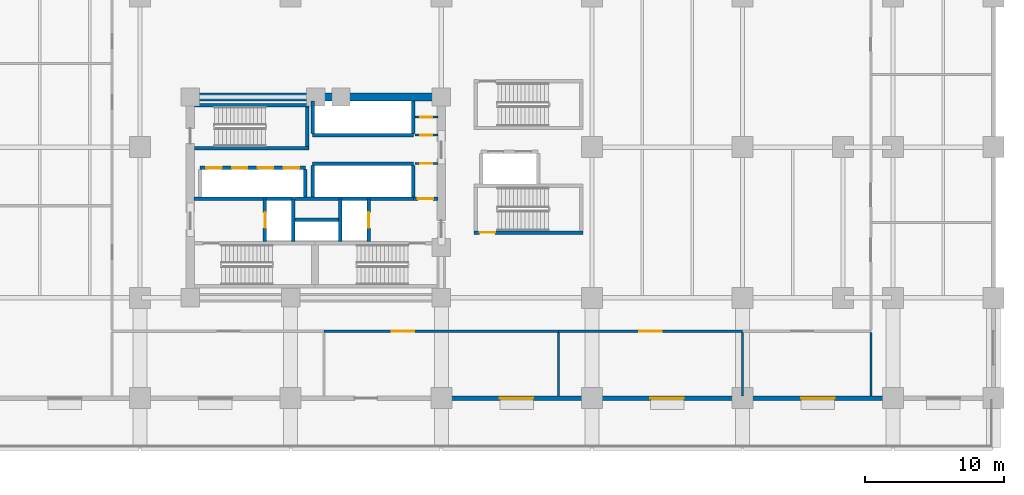
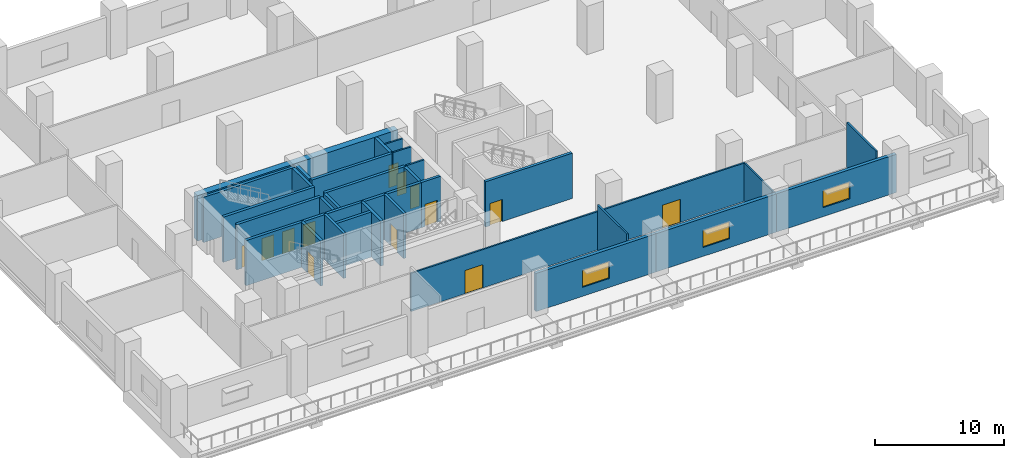
# One storey, part 4 of 11: 32 walls, 13 doors, 3 windows, 16 openings.
"""IFC4 building model written with IfcOpenShell, lengths in metres."""

from ifc_helpers import new_model, si_unit, direction, frame, frame_2d, origin, place, context, subcontext, project, spatial, rectangle, extrude, material, layer, layer_set, type_object, element, fill, save


model = new_model("IFC4")

# Units and contexts
model_context = context("Model", 3, precision=1e-05, world=origin(), true_north=direction((0.0, 1.0)))
body_context = subcontext(model_context, "Body", "Model", "MODEL_VIEW")
ifc_project = project(units=[si_unit("LENGTHUNIT", "METRE"), si_unit("AREAUNIT", "SQUARE_METRE"), si_unit("VOLUMEUNIT", "CUBIC_METRE"), si_unit("PLANEANGLEUNIT", "RADIAN"), si_unit("MASSUNIT", "GRAM", prefix="KILO")], contexts=[model_context])

# Site, building, storey
site_placement = place(None, origin())
site = spatial("IfcSite", under=ifc_project, at=site_placement, CompositionType="ELEMENT")
building_placement = place(site_placement, origin())
building = spatial("IfcBuilding", under=site, at=building_placement, Name="Solnavia Interchange Tower", CompositionType="ELEMENT")
storey_placement = place(building_placement, frame((0.0, 0.0, 14.800048828125)))
storey = spatial("IfcBuildingStorey", under=building, at=storey_placement, Name="L03", CompositionType="ELEMENT", Elevation=14.800048828125)

# Wall, opening, window
ifc_material_1 = material(Name="Concrete C40/50", Category="concrete")
ifc_layer_1 = layer(ifc_material_1, 0.300048828125)
ifc_layer_set_1 = layer_set([ifc_layer_1], Name="Concrete C40/50")
wall_type_1 = type_object("IfcWallType", Name="Wall-ExtSpandrel-300", PredefinedType="STANDARD", material=ifc_layer_set_1)
wall_1_placement = place(storey_placement, frame((43.199951171875, 3.60009765625, 0.0), z_axis=(0.0, 0.0, 1.0), x_axis=(-1.0, 0.0, 0.0)))
wall_1 = element("IfcWall", 1, at=wall_1_placement, inside=storey, type_object=wall_type_1, Name="EXW-L03-S04 South podium wall", PredefinedType="STANDARD", context=body_context, shape_type="SweptSolid", body=[
    extrude(rectangle(XDim=10.800048828125, YDim=0.300048828125, at=frame_2d((5.39990234375, 0.0))), origin(), (0.0, 0.0, 1.0), 3.6298828125),
])
opening_1_placement = place(wall_1_placement, frame((4.199951171875, 0.0, 0.85009765625)))
opening_1 = element("IfcOpeningElement", 2, at=opening_1_placement, cuts=wall_1, Name="Opening WIN-06", PredefinedType="OPENING", context=body_context, shape_type="SweptSolid", body=[
    extrude(rectangle(XDim=2.39990234375, YDim=1.60009765625, at=frame_2d((1.199951171875, 0.800048828125))), frame((0.0, 0.16015625, 0.0), z_axis=(0.0, -1.0, 0.0), x_axis=(1.0, 0.0, 0.0)), (0.0, 0.0, 1.0), 0.320068359375),
])
ifc_material_2 = material(Name="Thermal-Break Aluminium & Low-E Glass", Category="aluminium")
window_type = type_object("IfcWindowType", Name="Window-Podium-2400x1600", PartitioningType="SINGLE_PANEL", PredefinedType="WINDOW", material=ifc_material_2)
window_1_placement = place(opening_1_placement, origin())
window_1 = element("IfcWindow", 3, at=window_1_placement, inside=storey, type_object=window_type, Name="WIN-L03-S04 South podium window", OverallHeight=1.60009765625, OverallWidth=2.39990234375, PartitioningType="SINGLE_PANEL", PredefinedType="WINDOW", context=body_context, shape_type="SweptSolid", body=[
    extrude(rectangle(XDim=2.39990234375, YDim=1.60009765625, at=frame_2d((1.199951171875, 0.800048828125))), frame((0.0, 0.030029296875, 0.0), z_axis=(0.0, -1.0, 0.0), x_axis=(1.0, 0.0, 0.0)), (0.0, 0.0, 1.0), 0.06005859375),
])
fill(opening_1, window_1)

wall_2_placement = place(storey_placement, frame((54.0, 3.60009765625, 0.0), z_axis=(0.0, 0.0, 1.0), x_axis=(-1.0, 0.0, 0.0)))
wall_2 = element("IfcWall", 4, at=wall_2_placement, inside=storey, type_object=wall_type_1, Name="EXW-L03-S05 South podium wall", PredefinedType="STANDARD", context=body_context, shape_type="SweptSolid", body=[
    extrude(rectangle(XDim=10.800048828125, YDim=0.300048828125, at=frame_2d((5.39990234375, 0.0))), origin(), (0.0, 0.0, 1.0), 3.6298828125),
])
opening_2_placement = place(wall_2_placement, frame((4.199951171875, 0.0, 0.85009765625)))
opening_2 = element("IfcOpeningElement", 5, at=opening_2_placement, cuts=wall_2, Name="Opening WIN-06", PredefinedType="OPENING", context=body_context, shape_type="SweptSolid", body=[
    extrude(rectangle(XDim=2.39990234375, YDim=1.60009765625, at=frame_2d((1.199951171875, 0.800048828125))), frame((0.0, 0.16015625, 0.0), z_axis=(0.0, -1.0, 0.0), x_axis=(1.0, 0.0, 0.0)), (0.0, 0.0, 1.0), 0.320068359375),
])
window_2_placement = place(opening_2_placement, origin())
window_2 = element("IfcWindow", 6, at=window_2_placement, inside=storey, type_object=window_type, Name="WIN-L03-S05 South podium window", OverallHeight=1.60009765625, OverallWidth=2.39990234375, PartitioningType="SINGLE_PANEL", PredefinedType="WINDOW", context=body_context, shape_type="SweptSolid", body=[
    extrude(rectangle(XDim=2.39990234375, YDim=1.60009765625, at=frame_2d((1.199951171875, 0.800048828125))), frame((0.0, 0.030029296875, 0.0), z_axis=(0.0, -1.0, 0.0), x_axis=(1.0, 0.0, 0.0)), (0.0, 0.0, 1.0), 0.06005859375),
])
fill(opening_2, window_2)

wall_3_placement = place(storey_placement, frame((64.800048828125, 3.60009765625, 0.0), z_axis=(0.0, 0.0, 1.0), x_axis=(-1.0, 0.0, 0.0)))
wall_3 = element("IfcWall", 7, at=wall_3_placement, inside=storey, type_object=wall_type_1, Name="EXW-L03-S06 South podium wall", PredefinedType="STANDARD", context=body_context, shape_type="SweptSolid", body=[
    extrude(rectangle(XDim=10.800048828125, YDim=0.300048828125, at=frame_2d((5.39990234375, 0.0))), origin(), (0.0, 0.0, 1.0), 3.6298828125),
])
opening_3_placement = place(wall_3_placement, frame((4.199951171875, 0.0, 0.85009765625)))
opening_3 = element("IfcOpeningElement", 8, at=opening_3_placement, cuts=wall_3, Name="Opening WIN-06", PredefinedType="OPENING", context=body_context, shape_type="SweptSolid", body=[
    extrude(rectangle(XDim=2.39990234375, YDim=1.60009765625, at=frame_2d((1.199951171875, 0.800048828125))), frame((0.0, 0.16015625, 0.0), z_axis=(0.0, -1.0, 0.0), x_axis=(1.0, 0.0, 0.0)), (0.0, 0.0, 1.0), 0.320068359375),
])
window_3_placement = place(opening_3_placement, origin())
window_3 = element("IfcWindow", 9, at=window_3_placement, inside=storey, type_object=window_type, Name="WIN-L03-S06 South podium window", OverallHeight=1.60009765625, OverallWidth=2.39990234375, PartitioningType="SINGLE_PANEL", PredefinedType="WINDOW", context=body_context, shape_type="SweptSolid", body=[
    extrude(rectangle(XDim=2.39990234375, YDim=1.60009765625, at=frame_2d((1.199951171875, 0.800048828125))), frame((0.0, 0.030029296875, 0.0), z_axis=(0.0, -1.0, 0.0), x_axis=(1.0, 0.0, 0.0)), (0.0, 0.0, 1.0), 0.06005859375),
])
fill(opening_3, window_3)

# Wall, opening, door
ifc_material_3 = material(Name="Gypsum Plasterboard & Steel Stud", Category="steel")
ifc_layer_2 = layer(ifc_material_3, 0.14990234375)
ifc_layer_set_2 = layer_set([ifc_layer_2], Name="Gypsum Plasterboard & Steel Stud")
wall_type_2 = type_object("IfcWallType", Name="Wall-Partition-150", PredefinedType="PARTITIONING", material=ifc_layer_set_2)
wall_4_placement = place(storey_placement, frame((30.52001953125, 22.4599609375, 0.0), z_axis=(0.0, 0.0, 1.0), x_axis=(1.0, 0.0, 0.0)))
wall_4 = element("IfcWall", 10, at=wall_4_placement, inside=storey, type_object=wall_type_2, Name="CSW-L03-NE-S Core shaft wall", PredefinedType="PARTITIONING", context=body_context, shape_type="SweptSolid", body=[
    extrude(rectangle(XDim=1.6298828125, YDim=0.14990234375, at=frame_2d((0.81494140625, 0.0))), origin(), (0.0, 0.0, 1.0), 4.284912109375),
])
opening_4_placement = place(wall_4_placement, frame((0.3798828125, 0.0, 0.0)))
opening_4 = element("IfcOpeningElement", 11, at=opening_4_placement, cuts=wall_4, Name="Opening DR-10", PredefinedType="OPENING", context=body_context, shape_type="SweptSolid", body=[
    extrude(rectangle(XDim=0.85009765625, YDim=2.10009765625, at=frame_2d((0.425048828125, 1.050048828125))), frame((0.0, 0.0849609375, 0.0), z_axis=(0.0, -1.0, 0.0), x_axis=(1.0, 0.0, 0.0)), (0.0, 0.0, 1.0), 0.169921875),
])
ifc_material_4 = material(Name="Moisture-Resistant Timber Door", Category="wood")
door_type_1 = type_object("IfcDoorType", Name="Door-Bathroom-850x2100", OperationType="SINGLE_SWING_RIGHT", PredefinedType="DOOR", material=ifc_material_4)
door_1_placement = place(opening_4_placement, origin())
door_1 = element("IfcDoor", 12, at=door_1_placement, inside=storey, type_object=door_type_1, Name="DR-L03-CNE1 Core fire door", OperationType="SINGLE_SWING_RIGHT", OverallHeight=2.10009765625, OverallWidth=0.85009765625, PredefinedType="DOOR", context=body_context, shape_type="SweptSolid", body=[
    extrude(rectangle(XDim=0.85009765625, YDim=2.10009765625, at=frame_2d((0.425048828125, 1.050048828125))), frame((0.0, 0.02490234375, 0.0), z_axis=(0.0, -1.0, 0.0), x_axis=(1.0, 0.0, 0.0)), (0.0, 0.0, 1.0), 0.050048828125),
])
fill(opening_4, door_1)

wall_5_placement = place(storey_placement, frame((30.52001953125, 23.75, 0.0), z_axis=(0.0, 0.0, 1.0), x_axis=(1.0, 0.0, 0.0)))
wall_5 = element("IfcWall", 13, at=wall_5_placement, inside=storey, type_object=wall_type_2, Name="CSW-L03-NE-M Core shaft wall", PredefinedType="PARTITIONING", context=body_context, shape_type="SweptSolid", body=[
    extrude(rectangle(XDim=1.6298828125, YDim=0.14990234375, at=frame_2d((0.81494140625, 0.0))), origin(), (0.0, 0.0, 1.0), 4.284912109375),
])
opening_5_placement = place(wall_5_placement, frame((0.3798828125, 0.0, 0.0)))
opening_5 = element("IfcOpeningElement", 14, at=opening_5_placement, cuts=wall_5, Name="Opening DR-10", PredefinedType="OPENING", context=body_context, shape_type="SweptSolid", body=[
    extrude(rectangle(XDim=0.85009765625, YDim=2.10009765625, at=frame_2d((0.425048828125, 1.050048828125))), frame((0.0, 0.0849609375, 0.0), z_axis=(0.0, -1.0, 0.0), x_axis=(1.0, 0.0, 0.0)), (0.0, 0.0, 1.0), 0.169921875),
])
door_2_placement = place(opening_5_placement, origin())
door_2 = element("IfcDoor", 15, at=door_2_placement, inside=storey, type_object=door_type_1, Name="DR-L03-CNE2 Core fire door", OperationType="SINGLE_SWING_LEFT", OverallHeight=2.10009765625, OverallWidth=0.85009765625, PredefinedType="DOOR", context=body_context, shape_type="SweptSolid", body=[
    extrude(rectangle(XDim=0.85009765625, YDim=2.10009765625, at=frame_2d((0.425048828125, 1.050048828125))), frame((0.0, 0.02490234375, 0.0), z_axis=(0.0, -1.0, 0.0), x_axis=(1.0, 0.0, 0.0)), (0.0, 0.0, 1.0), 0.050048828125),
])
fill(opening_5, door_2)

wall_6_placement = place(storey_placement, frame((30.52001953125, 20.419921875, 0.0), z_axis=(0.0, 0.0, 1.0), x_axis=(1.0, 0.0, 0.0)))
wall_6 = element("IfcWall", 16, at=wall_6_placement, inside=storey, type_object=wall_type_2, Name="CSW-L03-SE-N Core shaft wall", PredefinedType="PARTITIONING", context=body_context, shape_type="SweptSolid", body=[
    extrude(rectangle(XDim=1.6298828125, YDim=0.14990234375, at=frame_2d((0.81494140625, 0.0))), origin(), (0.0, 0.0, 1.0), 4.284912109375),
])
opening_6_placement = place(wall_6_placement, frame((0.3798828125, 0.0, 0.0)))
opening_6 = element("IfcOpeningElement", 17, at=opening_6_placement, cuts=wall_6, Name="Opening DR-10", PredefinedType="OPENING", context=body_context, shape_type="SweptSolid", body=[
    extrude(rectangle(XDim=0.85009765625, YDim=2.10009765625, at=frame_2d((0.425048828125, 1.050048828125))), frame((0.0, 0.0849609375, 0.0), z_axis=(0.0, -1.0, 0.0), x_axis=(1.0, 0.0, 0.0)), (0.0, 0.0, 1.0), 0.169921875),
])
door_3_placement = place(opening_6_placement, origin())
door_3 = element("IfcDoor", 18, at=door_3_placement, inside=storey, type_object=door_type_1, Name="DR-L03-CSE1 Core fire door", OperationType="SINGLE_SWING_LEFT", OverallHeight=2.10009765625, OverallWidth=0.85009765625, PredefinedType="DOOR", context=body_context, shape_type="SweptSolid", body=[
    extrude(rectangle(XDim=0.85009765625, YDim=2.10009765625, at=frame_2d((0.425048828125, 1.050048828125))), frame((0.0, 0.02490234375, 0.0), z_axis=(0.0, -1.0, 0.0), x_axis=(1.0, 0.0, 0.0)), (0.0, 0.0, 1.0), 0.050048828125),
])
fill(opening_6, door_3)

wall_7_placement = place(storey_placement, frame((24.0, 8.39990234375, 0.0), z_axis=(0.0, 0.0, 1.0), x_axis=(1.0, 0.0, 0.0)))
wall_7 = element("IfcWall", 19, at=wall_7_placement, inside=storey, type_object=wall_type_2, Name="PTW-L03-03 Interior partition wall", PredefinedType="PARTITIONING", context=body_context, shape_type="SweptSolid", body=[
    extrude(rectangle(XDim=16.800048828125, YDim=0.14990234375, at=frame_2d((8.39990234375, 0.0))), origin(), (0.0, 0.0, 1.0), 3.6298828125),
])
opening_7_placement = place(wall_7_placement, frame((4.847900390625, 0.0, 0.0)))
opening_7 = element("IfcOpeningElement", 20, at=opening_7_placement, cuts=wall_7, Name="Opening DR-08", PredefinedType="OPENING", context=body_context, shape_type="SweptSolid", body=[
    extrude(rectangle(XDim=1.60009765625, YDim=2.199951171875, at=frame_2d((0.800048828125, 1.10009765625))), frame((0.0, 0.0849609375, 0.0), z_axis=(0.0, -1.0, 0.0), x_axis=(1.0, 0.0, 0.0)), (0.0, 0.0, 1.0), 0.169921875),
])
ifc_material_5 = material(Name="Thermally Broken Aluminium & Toughened Glass", Category="aluminium")
door_type_2 = type_object("IfcDoorType", Name="Door-RetailDouble-1600x2200", OperationType="DOUBLE_DOOR_SINGLE_SWING", PredefinedType="DOOR", material=ifc_material_5)
door_4_placement = place(opening_7_placement, origin())
door_4 = element("IfcDoor", 21, at=door_4_placement, inside=storey, type_object=door_type_2, Name="DR-L03-02 Interior room door", OperationType="DOUBLE_DOOR_SINGLE_SWING", OverallHeight=2.199951171875, OverallWidth=1.60009765625, PredefinedType="DOOR", context=body_context, shape_type="SweptSolid", body=[
    extrude(rectangle(XDim=1.60009765625, YDim=2.199951171875, at=frame_2d((0.800048828125, 1.10009765625))), frame((0.0, 0.02490234375, 0.0), z_axis=(0.0, -1.0, 0.0), x_axis=(1.0, 0.0, 0.0)), (0.0, 0.0, 1.0), 0.050048828125),
])
fill(opening_7, door_4)

# Wall
wall_8_placement = place(storey_placement, frame((40.800048828125, 3.75390625, 0.0), z_axis=(0.0, 0.0, 1.0), x_axis=(0.0, 1.0, 0.0)))
element("IfcWall", 22, at=wall_8_placement, inside=storey, type_object=wall_type_2, Name="PTW-L03-04 Interior partition wall", PredefinedType="PARTITIONING", context=body_context, shape_type="SweptSolid", body=[
    extrude(rectangle(XDim=4.567138671875, YDim=0.14990234375, at=frame_2d((2.28369140625, 0.0))), origin(), (0.0, 0.0, 1.0), 4.284912109375),
])

# Wall, opening, door
wall_9_placement = place(storey_placement, frame((40.800048828125, 8.39990234375, 0.0), z_axis=(0.0, 0.0, 1.0), x_axis=(1.0, 0.0, 0.0)))
wall_9 = element("IfcWall", 23, at=wall_9_placement, inside=storey, type_object=wall_type_2, Name="PTW-L03-05 Interior partition wall", PredefinedType="PARTITIONING", context=body_context, shape_type="SweptSolid", body=[
    extrude(rectangle(XDim=13.199951171875, YDim=0.14990234375, at=frame_2d((6.60009765625, 0.0))), origin(), (0.0, 0.0, 1.0), 3.6298828125),
])
opening_8_placement = place(wall_9_placement, frame((5.800048828125, 0.0, 0.0)))
opening_8 = element("IfcOpeningElement", 24, at=opening_8_placement, cuts=wall_9, Name="Opening DR-08", PredefinedType="OPENING", context=body_context, shape_type="SweptSolid", body=[
    extrude(rectangle(XDim=1.60009765625, YDim=2.199951171875, at=frame_2d((0.800048828125, 1.10009765625))), frame((0.0, 0.0849609375, 0.0), z_axis=(0.0, -1.0, 0.0), x_axis=(1.0, 0.0, 0.0)), (0.0, 0.0, 1.0), 0.169921875),
])
door_5_placement = place(opening_8_placement, origin())
door_5 = element("IfcDoor", 25, at=door_5_placement, inside=storey, type_object=door_type_2, Name="DR-L03-03 Interior room door", OperationType="DOUBLE_DOOR_SINGLE_SWING", OverallHeight=2.199951171875, OverallWidth=1.60009765625, PredefinedType="DOOR", context=body_context, shape_type="SweptSolid", body=[
    extrude(rectangle(XDim=1.60009765625, YDim=2.199951171875, at=frame_2d((0.800048828125, 1.10009765625))), frame((0.0, 0.02490234375, 0.0), z_axis=(0.0, -1.0, 0.0), x_axis=(1.0, 0.0, 0.0)), (0.0, 0.0, 1.0), 0.050048828125),
])
fill(opening_8, door_5)

# Walls
wall_10_placement = place(storey_placement, frame((54.0, 3.75390625, 0.0), z_axis=(0.0, 0.0, 1.0), x_axis=(0.0, 1.0, 0.0)))
element("IfcWall", 26, at=wall_10_placement, inside=storey, type_object=wall_type_2, Name="PTW-L03-06 Interior partition wall", PredefinedType="PARTITIONING", context=body_context, shape_type="SweptSolid", body=[
    extrude(rectangle(XDim=4.567138671875, YDim=0.14990234375, at=frame_2d((2.28369140625, 0.0))), origin(), (0.0, 0.0, 1.0), 3.6298828125),
])
wall_11_placement = place(storey_placement, frame((63.199951171875, 3.75390625, 0.0), z_axis=(0.0, 0.0, 1.0), x_axis=(0.0, 1.0, 0.0)))
element("IfcWall", 27, at=wall_11_placement, inside=storey, type_object=wall_type_2, Name="PTW-L03-20 Interior partition wall", PredefinedType="PARTITIONING", context=body_context, shape_type="SweptSolid", body=[
    extrude(rectangle(XDim=4.567138671875, YDim=0.14990234375, at=frame_2d((2.28369140625, 0.0))), origin(), (0.0, 0.0, 1.0), 4.284912109375),
])
ifc_layer_3 = layer(ifc_material_1, 0.25)
ifc_layer_set_3 = layer_set([ifc_layer_3], Name="Concrete C40/50")
wall_type_3 = type_object("IfcWallType", Name="Wall-ShaftCore-250", PredefinedType="SHEAR", material=ifc_layer_set_3)
for number, where, z_axis, x_axis, name in (
    (28, (14.699951171875, 21.52490234375, 0.0), (0.0, 0.0, 1.0), (1.0, 0.0, 0.0), "SHW-L03-ST3S Core shear wall"),
    (29, (14.699951171875, 24.614990234375, 0.0), (0.0, 0.0, 1.0), (1.0, 0.0, 0.0), "SHW-L03-ST3N Core shear wall"),
):
    element("IfcWall", number, at=place(storey_placement, frame(where, z_axis=z_axis, x_axis=x_axis)), inside=storey, type_object=wall_type_3, Name=name, PredefinedType="SHEAR", context=body_context, shape_type="SweptSolid", body=[
        extrude(rectangle(XDim=8.199951171875, YDim=0.25, at=frame_2d((4.10009765625, 0.0))), origin(), (0.0, 0.0, 1.0), 4.300048828125),
    ])
wall_12_placement = place(storey_placement, frame((22.77490234375, 21.64990234375, 0.0), z_axis=(0.0, 0.0, 1.0), x_axis=(0.0, 1.0, 0.0)))
element("IfcWall", 30, at=wall_12_placement, inside=storey, type_object=wall_type_3, Name="SHW-L03-ST3E Core shear wall", PredefinedType="SHEAR", context=body_context, shape_type="SweptSolid", body=[
    extrude(rectangle(XDim=2.840087890625, YDim=0.25, at=frame_2d((1.419921875, 0.0))), origin(), (0.0, 0.0, 1.0), 4.300048828125),
])

# Wall, opening, door
wall_13_placement = place(storey_placement, frame((34.75, 15.47509765625, 0.0), z_axis=(0.0, 0.0, 1.0), x_axis=(1.0, 0.0, 0.0)))
wall_13 = element("IfcWall", 31, at=wall_13_placement, inside=storey, type_object=wall_type_3, Name="SHW-L03-STP1S Core shear wall", PredefinedType="SHEAR", context=body_context, shape_type="SweptSolid", body=[
    extrude(rectangle(XDim=7.800048828125, YDim=0.25, at=frame_2d((3.89990234375, 0.0))), origin(), (0.0, 0.0, 1.0), 4.300048828125),
])
opening_9_placement = place(wall_13_placement, frame((0.405029296875, 0.0, 0.0)))
opening_9 = element("IfcOpeningElement", 32, at=opening_9_placement, cuts=wall_13, Name="Opening DR-01", PredefinedType="OPENING", context=body_context, shape_type="SweptSolid", body=[
    extrude(rectangle(XDim=1.10009765625, YDim=2.10009765625, at=frame_2d((0.550048828125, 1.050048828125))), frame((0.0, 0.135009765625, 0.0), z_axis=(0.0, -1.0, 0.0), x_axis=(1.0, 0.0, 0.0)), (0.0, 0.0, 1.0), 0.27001953125),
])
ifc_material_6 = material(Name="Steel Fire-Rated Leaf & Frame", Category="steel")
door_type_3 = type_object("IfcDoorType", Name="Door-StairFire-1100x2100", OperationType="SINGLE_SWING_LEFT", PredefinedType="DOOR", material=ifc_material_6)
door_6_placement = place(opening_9_placement, origin())
door_6 = element("IfcDoor", 33, at=door_6_placement, inside=storey, type_object=door_type_3, Name="DR-L03-STP1 Core fire door", OperationType="SINGLE_SWING_LEFT", OverallHeight=2.10009765625, OverallWidth=1.10009765625, PredefinedType="DOOR", context=body_context, shape_type="SweptSolid", body=[
    extrude(rectangle(XDim=1.10009765625, YDim=2.10009765625, at=frame_2d((0.550048828125, 1.050048828125))), frame((0.0, 0.02490234375, 0.0), z_axis=(0.0, -1.0, 0.0), x_axis=(1.0, 0.0, 0.0)), (0.0, 0.0, 1.0), 0.050048828125),
])
fill(opening_9, door_6)

# Wall
ifc_layer_4 = layer(ifc_material_1, 0.25)
ifc_layer_set_4 = layer_set([ifc_layer_4], Name="Concrete C40/50")
wall_type_4 = type_object("IfcWallType", Name="Wall-ShaftPart-250", PredefinedType="PARTITIONING", material=ifc_layer_set_4)
wall_14_placement = place(storey_placement, frame((14.64990234375, 17.89990234375, 0.0), z_axis=(0.0, 0.0, 1.0), x_axis=(1.0, 0.0, 0.0)))
element("IfcWall", 34, at=wall_14_placement, inside=storey, type_object=wall_type_4, Name="SHW-L03-FFLW-N Core shaft wall", PredefinedType="PARTITIONING", context=body_context, shape_type="SweptSolid", body=[
    extrude(rectangle(XDim=7.150146484375, YDim=0.25, at=frame_2d((3.5751953125, 0.0))), origin(), (0.0, 0.0, 1.0), 4.284912109375),
])

# Wall, opening, door
wall_15_placement = place(storey_placement, frame((19.75, 14.840087890625, 0.0), z_axis=(0.0, 0.0, 1.0), x_axis=(0.0, 1.0, 0.0)))
wall_15 = element("IfcWall", 35, at=wall_15_placement, inside=storey, type_object=wall_type_4, Name="SHW-L03-FFL1-W Core shaft wall", PredefinedType="PARTITIONING", context=body_context, shape_type="SweptSolid", body=[
    extrude(rectangle(XDim=3.059814453125, YDim=0.25, at=frame_2d((1.52978515625, 0.0))), origin(), (0.0, 0.0, 1.0), 4.284912109375),
])
opening_10_placement = place(wall_15_placement, frame((0.97998046875, 0.0, 0.0)))
opening_10 = element("IfcOpeningElement", 36, at=opening_10_placement, cuts=wall_15, Name="Opening LD-01", PredefinedType="OPENING", context=body_context, shape_type="SweptSolid", body=[
    extrude(rectangle(XDim=1.10009765625, YDim=2.10009765625, at=frame_2d((0.550048828125, 1.050048828125))), frame((0.0, 0.135009765625, 0.0), z_axis=(0.0, -1.0, 0.0), x_axis=(1.0, 0.0, 0.0)), (0.0, 0.0, 1.0), 0.27001953125),
])
ifc_material_7 = material(Name="Brushed Stainless Steel Sliding Door", Category="steel")
door_type_4 = type_object("IfcDoorType", Name="Door-LiftLanding-1100x2100", OperationType="SLIDING_TO_LEFT", PredefinedType="DOOR", material=ifc_material_7)
door_7_placement = place(opening_10_placement, origin())
door_7 = element("IfcDoor", 37, at=door_7_placement, inside=storey, type_object=door_type_4, Name="LD-L03-FFL1 Lift landing sliding door", OperationType="SLIDING_TO_LEFT", OverallHeight=2.10009765625, OverallWidth=1.10009765625, PredefinedType="DOOR", context=body_context, shape_type="SweptSolid", body=[
    extrude(rectangle(XDim=1.10009765625, YDim=2.10009765625, at=frame_2d((0.550048828125, 1.050048828125))), frame((0.0, 0.02490234375, 0.0), z_axis=(0.0, -1.0, 0.0), x_axis=(1.0, 0.0, 0.0)), (0.0, 0.0, 1.0), 0.050048828125),
])
fill(opening_10, door_7)

# Walls
wall_16_placement = place(storey_placement, frame((21.800048828125, 14.840087890625, 0.0), z_axis=(0.0, 0.0, 1.0), x_axis=(0.0, 1.0, 0.0)))
element("IfcWall", 38, at=wall_16_placement, inside=storey, type_object=wall_type_4, Name="SHW-L03-FFL1-E Core shaft wall", PredefinedType="PARTITIONING", context=body_context, shape_type="SweptSolid", body=[
    extrude(rectangle(XDim=3.059814453125, YDim=0.25, at=frame_2d((1.52978515625, 0.0))), origin(), (0.0, 0.0, 1.0), 4.284912109375),
])
wall_17_placement = place(storey_placement, frame((21.8798828125, 17.89990234375, 0.0), z_axis=(0.0, 0.0, 1.0), x_axis=(1.0, 0.0, 0.0)))
element("IfcWall", 39, at=wall_17_placement, inside=storey, type_object=wall_type_4, Name="SHW-L03-FFLE-N1 Core shaft wall", PredefinedType="PARTITIONING", context=body_context, shape_type="SweptSolid", body=[
    extrude(rectangle(XDim=8.52001953125, YDim=0.25, at=frame_2d((4.260009765625, 0.0))), origin(), (0.0, 0.0, 1.0), 4.284912109375),
])

# Wall, opening, door
wall_18_placement = place(storey_placement, frame((30.39990234375, 17.89990234375, 0.0), z_axis=(0.0, 0.0, 1.0), x_axis=(1.0, 0.0, 0.0)))
wall_18 = element("IfcWall", 40, at=wall_18_placement, inside=storey, type_object=wall_type_4, Name="SHW-L03-FFLE-N2 Core shaft wall", PredefinedType="PARTITIONING", context=body_context, shape_type="SweptSolid", body=[
    extrude(rectangle(XDim=1.75, YDim=0.25, at=frame_2d((0.875, 0.0))), origin(), (0.0, 0.0, 1.0), 4.284912109375),
])
opening_11_placement = place(wall_18_placement, frame((0.320068359375, 0.0, 0.0)))
opening_11 = element("IfcOpeningElement", 41, at=opening_11_placement, cuts=wall_18, Name="Opening DR-01", PredefinedType="OPENING", context=body_context, shape_type="SweptSolid", body=[
    extrude(rectangle(XDim=1.10009765625, YDim=2.10009765625, at=frame_2d((0.550048828125, 1.050048828125))), frame((0.0, 0.135009765625, 0.0), z_axis=(0.0, -1.0, 0.0), x_axis=(1.0, 0.0, 0.0)), (0.0, 0.0, 1.0), 0.27001953125),
])
door_8_placement = place(opening_11_placement, origin())
door_8 = element("IfcDoor", 42, at=door_8_placement, inside=storey, type_object=door_type_3, Name="DR-L03-LLC Core fire door", OperationType="SINGLE_SWING_LEFT", OverallHeight=2.10009765625, OverallWidth=1.10009765625, PredefinedType="DOOR", context=body_context, shape_type="SweptSolid", body=[
    extrude(rectangle(XDim=1.10009765625, YDim=2.10009765625, at=frame_2d((0.550048828125, 1.050048828125))), frame((0.0, 0.02490234375, 0.0), z_axis=(0.0, -1.0, 0.0), x_axis=(1.0, 0.0, 0.0)), (0.0, 0.0, 1.0), 0.050048828125),
])
fill(opening_11, door_8)

# Wall
wall_19_placement = place(storey_placement, frame((25.14990234375, 14.840087890625, 0.0), z_axis=(0.0, 0.0, 1.0), x_axis=(0.0, 1.0, 0.0)))
element("IfcWall", 43, at=wall_19_placement, inside=storey, type_object=wall_type_4, Name="SHW-L03-FFL2-W Core shaft wall", PredefinedType="PARTITIONING", context=body_context, shape_type="SweptSolid", body=[
    extrude(rectangle(XDim=3.059814453125, YDim=0.25, at=frame_2d((1.52978515625, 0.0))), origin(), (0.0, 0.0, 1.0), 4.284912109375),
])

# Wall, opening, door
wall_20_placement = place(storey_placement, frame((27.199951171875, 14.840087890625, 0.0), z_axis=(0.0, 0.0, 1.0), x_axis=(0.0, 1.0, 0.0)))
wall_20 = element("IfcWall", 44, at=wall_20_placement, inside=storey, type_object=wall_type_4, Name="SHW-L03-FFL2-E Core shaft wall", PredefinedType="PARTITIONING", context=body_context, shape_type="SweptSolid", body=[
    extrude(rectangle(XDim=3.059814453125, YDim=0.25, at=frame_2d((1.52978515625, 0.0))), origin(), (0.0, 0.0, 1.0), 4.284912109375),
])
opening_12_placement = place(wall_20_placement, frame((0.97998046875, 0.0, 0.0)))
opening_12 = element("IfcOpeningElement", 45, at=opening_12_placement, cuts=wall_20, Name="Opening LD-01", PredefinedType="OPENING", context=body_context, shape_type="SweptSolid", body=[
    extrude(rectangle(XDim=1.10009765625, YDim=2.10009765625, at=frame_2d((0.550048828125, 1.050048828125))), frame((0.0, 0.135009765625, 0.0), z_axis=(0.0, -1.0, 0.0), x_axis=(1.0, 0.0, 0.0)), (0.0, 0.0, 1.0), 0.27001953125),
])
door_9_placement = place(opening_12_placement, origin())
door_9 = element("IfcDoor", 46, at=door_9_placement, inside=storey, type_object=door_type_4, Name="LD-L03-FFL2 Lift landing sliding door", OperationType="SLIDING_TO_LEFT", OverallHeight=2.10009765625, OverallWidth=1.10009765625, PredefinedType="DOOR", context=body_context, shape_type="SweptSolid", body=[
    extrude(rectangle(XDim=1.10009765625, YDim=2.10009765625, at=frame_2d((0.550048828125, 1.050048828125))), frame((0.0, 0.02490234375, 0.0), z_axis=(0.0, -1.0, 0.0), x_axis=(1.0, 0.0, 0.0)), (0.0, 0.0, 1.0), 0.050048828125),
])
fill(opening_12, door_9)

# Wall
wall_21_placement = place(storey_placement, frame((21.800048828125, 16.39990234375, 0.0), z_axis=(0.0, 0.0, 1.0), x_axis=(1.0, 0.0, 0.0)))
element("IfcWall", 47, at=wall_21_placement, inside=storey, type_object=wall_type_4, Name="SHW-L03-MEP-N Core shaft wall", PredefinedType="PARTITIONING", context=body_context, shape_type="SweptSolid", body=[
    extrude(rectangle(XDim=3.349853515625, YDim=0.25, at=frame_2d((1.6748046875, 0.0))), origin(), (0.0, 0.0, 1.0), 4.284912109375),
])

# Wall, openings, doors
wall_22_placement = place(storey_placement, frame((15.10009765625, 20.125, 0.0), z_axis=(0.0, 0.0, 1.0), x_axis=(1.0, 0.0, 0.0)))
wall_22 = element("IfcWall", 48, at=wall_22_placement, inside=storey, type_object=wall_type_4, Name="SHW-L03-B1N Core shaft wall", PredefinedType="PARTITIONING", context=body_context, shape_type="SweptSolid", body=[
    extrude(rectangle(XDim=7.5498046875, YDim=0.25, at=frame_2d((3.77490234375, 0.0))), origin(), (0.0, 0.0, 1.0), 4.284912109375),
])
opening_13_placement = place(wall_22_placement, frame((0.449951171875, 0.0, 0.0)))
opening_13 = element("IfcOpeningElement", 49, at=opening_13_placement, cuts=wall_22, Name="Opening LD-01", PredefinedType="OPENING", context=body_context, shape_type="SweptSolid", body=[
    extrude(rectangle(XDim=1.10009765625, YDim=2.10009765625, at=frame_2d((0.550048828125, 1.050048828125))), frame((0.0, 0.135009765625, 0.0), z_axis=(0.0, -1.0, 0.0), x_axis=(1.0, 0.0, 0.0)), (0.0, 0.0, 1.0), 0.27001953125),
])
opening_14_placement = place(wall_22_placement, frame((2.300048828125, 0.0, 0.0)))
opening_14 = element("IfcOpeningElement", 50, at=opening_14_placement, cuts=wall_22, Name="Opening LD-01", PredefinedType="OPENING", context=body_context, shape_type="SweptSolid", body=[
    extrude(rectangle(XDim=1.10009765625, YDim=2.10009765625, at=frame_2d((0.550048828125, 1.050048828125))), frame((0.0, 0.135009765625, 0.0), z_axis=(0.0, -1.0, 0.0), x_axis=(1.0, 0.0, 0.0)), (0.0, 0.0, 1.0), 0.27001953125),
])
opening_15_placement = place(wall_22_placement, frame((4.14990234375, 0.0, 0.0)))
opening_15 = element("IfcOpeningElement", 51, at=opening_15_placement, cuts=wall_22, Name="Opening LD-01", PredefinedType="OPENING", context=body_context, shape_type="SweptSolid", body=[
    extrude(rectangle(XDim=1.10009765625, YDim=2.10009765625, at=frame_2d((0.550048828125, 1.050048828125))), frame((0.0, 0.135009765625, 0.0), z_axis=(0.0, -1.0, 0.0), x_axis=(1.0, 0.0, 0.0)), (0.0, 0.0, 1.0), 0.27001953125),
])
opening_16_placement = place(wall_22_placement, frame((6.0, 0.0, 0.0)))
opening_16 = element("IfcOpeningElement", 52, at=opening_16_placement, cuts=wall_22, Name="Opening LD-01", PredefinedType="OPENING", context=body_context, shape_type="SweptSolid", body=[
    extrude(rectangle(XDim=1.10009765625, YDim=2.10009765625, at=frame_2d((0.550048828125, 1.050048828125))), frame((0.0, 0.135009765625, 0.0), z_axis=(0.0, -1.0, 0.0), x_axis=(1.0, 0.0, 0.0)), (0.0, 0.0, 1.0), 0.27001953125),
])
door_10_placement = place(opening_13_placement, origin())
door_10 = element("IfcDoor", 53, at=door_10_placement, inside=storey, type_object=door_type_4, Name="LD-L03-B1-1 Lift landing sliding door", OperationType="SLIDING_TO_LEFT", OverallHeight=2.10009765625, OverallWidth=1.10009765625, PredefinedType="DOOR", context=body_context, shape_type="SweptSolid", body=[
    extrude(rectangle(XDim=1.10009765625, YDim=2.10009765625, at=frame_2d((0.550048828125, 1.050048828125))), frame((0.0, 0.02490234375, 0.0), z_axis=(0.0, -1.0, 0.0), x_axis=(1.0, 0.0, 0.0)), (0.0, 0.0, 1.0), 0.050048828125),
])
fill(opening_13, door_10)
door_11_placement = place(opening_14_placement, origin())
door_11 = element("IfcDoor", 54, at=door_11_placement, inside=storey, type_object=door_type_4, Name="LD-L03-B1-2 Lift landing sliding door", OperationType="SLIDING_TO_LEFT", OverallHeight=2.10009765625, OverallWidth=1.10009765625, PredefinedType="DOOR", context=body_context, shape_type="SweptSolid", body=[
    extrude(rectangle(XDim=1.10009765625, YDim=2.10009765625, at=frame_2d((0.550048828125, 1.050048828125))), frame((0.0, 0.02490234375, 0.0), z_axis=(0.0, -1.0, 0.0), x_axis=(1.0, 0.0, 0.0)), (0.0, 0.0, 1.0), 0.050048828125),
])
fill(opening_14, door_11)
door_12_placement = place(opening_15_placement, origin())
door_12 = element("IfcDoor", 55, at=door_12_placement, inside=storey, type_object=door_type_4, Name="LD-L03-B1-3 Lift landing sliding door", OperationType="SLIDING_TO_LEFT", OverallHeight=2.10009765625, OverallWidth=1.10009765625, PredefinedType="DOOR", context=body_context, shape_type="SweptSolid", body=[
    extrude(rectangle(XDim=1.10009765625, YDim=2.10009765625, at=frame_2d((0.550048828125, 1.050048828125))), frame((0.0, 0.02490234375, 0.0), z_axis=(0.0, -1.0, 0.0), x_axis=(1.0, 0.0, 0.0)), (0.0, 0.0, 1.0), 0.050048828125),
])
fill(opening_15, door_12)
door_13_placement = place(opening_16_placement, origin())
door_13 = element("IfcDoor", 56, at=door_13_placement, inside=storey, type_object=door_type_4, Name="LD-L03-B1-4 Lift landing sliding door", OperationType="SLIDING_TO_LEFT", OverallHeight=2.10009765625, OverallWidth=1.10009765625, PredefinedType="DOOR", context=body_context, shape_type="SweptSolid", body=[
    extrude(rectangle(XDim=1.10009765625, YDim=2.10009765625, at=frame_2d((0.550048828125, 1.050048828125))), frame((0.0, 0.02490234375, 0.0), z_axis=(0.0, -1.0, 0.0), x_axis=(1.0, 0.0, 0.0)), (0.0, 0.0, 1.0), 0.050048828125),
])
fill(opening_16, door_13)

# Walls
wall_23_placement = place(storey_placement, frame((22.64990234375, 18.02490234375, 0.0), z_axis=(0.0, 0.0, 1.0), x_axis=(0.0, 1.0, 0.0)))
element("IfcWall", 57, at=wall_23_placement, inside=storey, type_object=wall_type_4, Name="SHW-L03-B1E Core shaft wall", PredefinedType="PARTITIONING", context=body_context, shape_type="SweptSolid", body=[
    extrude(rectangle(XDim=1.97509765625, YDim=0.25, at=frame_2d((0.987548828125, 0.0))), origin(), (0.0, 0.0, 1.0), 4.284912109375),
])
wall_24_placement = place(storey_placement, frame((23.179931640625, 20.419921875, 0.0), z_axis=(0.0, 0.0, 1.0), x_axis=(1.0, 0.0, 0.0)))
element("IfcWall", 58, at=wall_24_placement, inside=storey, type_object=wall_type_4, Name="SHW-L03-B2N Core shaft wall", PredefinedType="PARTITIONING", context=body_context, shape_type="SweptSolid", body=[
    extrude(rectangle(XDim=7.219970703125, YDim=0.25, at=frame_2d((3.60986328125, 0.0))), origin(), (0.0, 0.0, 1.0), 4.284912109375),
])
for number, where, z_axis, x_axis, name in (
    (59, (23.179931640625, 18.02490234375, 0.0), (0.0, 0.0, 1.0), (0.0, 1.0, 0.0), "SHW-L03-B2W Core shaft wall"),
    (60, (30.39990234375, 18.02490234375, 0.0), (0.0, 0.0, 1.0), (0.0, 1.0, 0.0), "SHW-L03-B2E Core shaft wall"),
):
    element("IfcWall", number, at=place(storey_placement, frame(where, z_axis=z_axis, x_axis=x_axis)), inside=storey, type_object=wall_type_4, Name=name, PredefinedType="PARTITIONING", context=body_context, shape_type="SweptSolid", body=[
        extrude(rectangle(XDim=2.27001953125, YDim=0.25, at=frame_2d((1.135009765625, 0.0))), origin(), (0.0, 0.0, 1.0), 4.284912109375),
    ])
wall_25_placement = place(storey_placement, frame((23.179931640625, 22.4599609375, 0.0), z_axis=(0.0, 0.0, 1.0), x_axis=(1.0, 0.0, 0.0)))
element("IfcWall", 61, at=wall_25_placement, inside=storey, type_object=wall_type_4, Name="SHW-L03-B3S Core shaft wall", PredefinedType="PARTITIONING", context=body_context, shape_type="SweptSolid", body=[
    extrude(rectangle(XDim=7.219970703125, YDim=0.25, at=frame_2d((3.60986328125, 0.0))), origin(), (0.0, 0.0, 1.0), 4.284912109375),
])
for number, where, z_axis, x_axis, name in (
    (62, (23.179931640625, 22.5849609375, 0.0), (0.0, 0.0, 1.0), (0.0, 1.0, 0.0), "SHW-L03-B3W Core shaft wall"),
    (63, (30.39990234375, 22.5849609375, 0.0), (0.0, 0.0, 1.0), (0.0, 1.0, 0.0), "SHW-L03-B3E Core shaft wall"),
):
    element("IfcWall", number, at=place(storey_placement, frame(where, z_axis=z_axis, x_axis=x_axis)), inside=storey, type_object=wall_type_4, Name=name, PredefinedType="PARTITIONING", context=body_context, shape_type="SweptSolid", body=[
        extrude(rectangle(XDim=2.31494140625, YDim=0.25, at=frame_2d((1.157470703125, 0.0))), origin(), (0.0, 0.0, 1.0), 4.284912109375),
    ])
ifc_material_8 = material(Name="Concrete C60/75", Category="concrete")
ifc_layer_5 = layer(ifc_material_8, 0.60009765625)
ifc_layer_set_5 = layer_set([ifc_layer_5], Name="Concrete C60/75")
wall_type_5 = type_object("IfcWallType", Name="Wall-ShearCore-600", PredefinedType="SHEAR", material=ifc_layer_set_5)
wall_26_placement = place(storey_placement, frame((14.39990234375, 25.199951171875, 0.0), z_axis=(0.0, 0.0, 1.0), x_axis=(1.0, 0.0, 0.0)))
element("IfcWall", 64, at=wall_26_placement, inside=storey, type_object=wall_type_5, Name="CRW-L03-N Core shear wall", PredefinedType="SHEAR", context=body_context, shape_type="SweptSolid", body=[
    extrude(rectangle(XDim=18.0, YDim=0.60009765625, at=frame_2d((9.0, 0.0))), origin(), (0.0, 0.0, 1.0), 4.300048828125),
])

save(model, "model.ifc")
